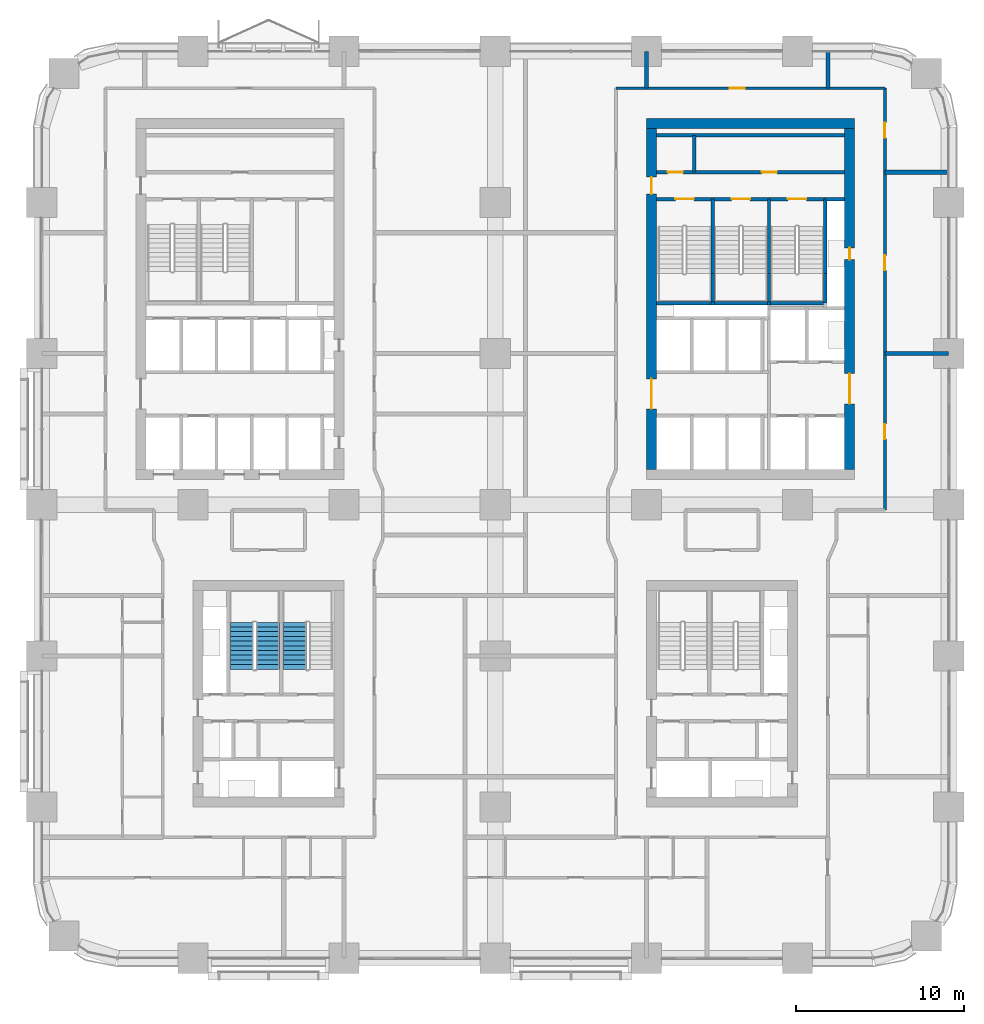
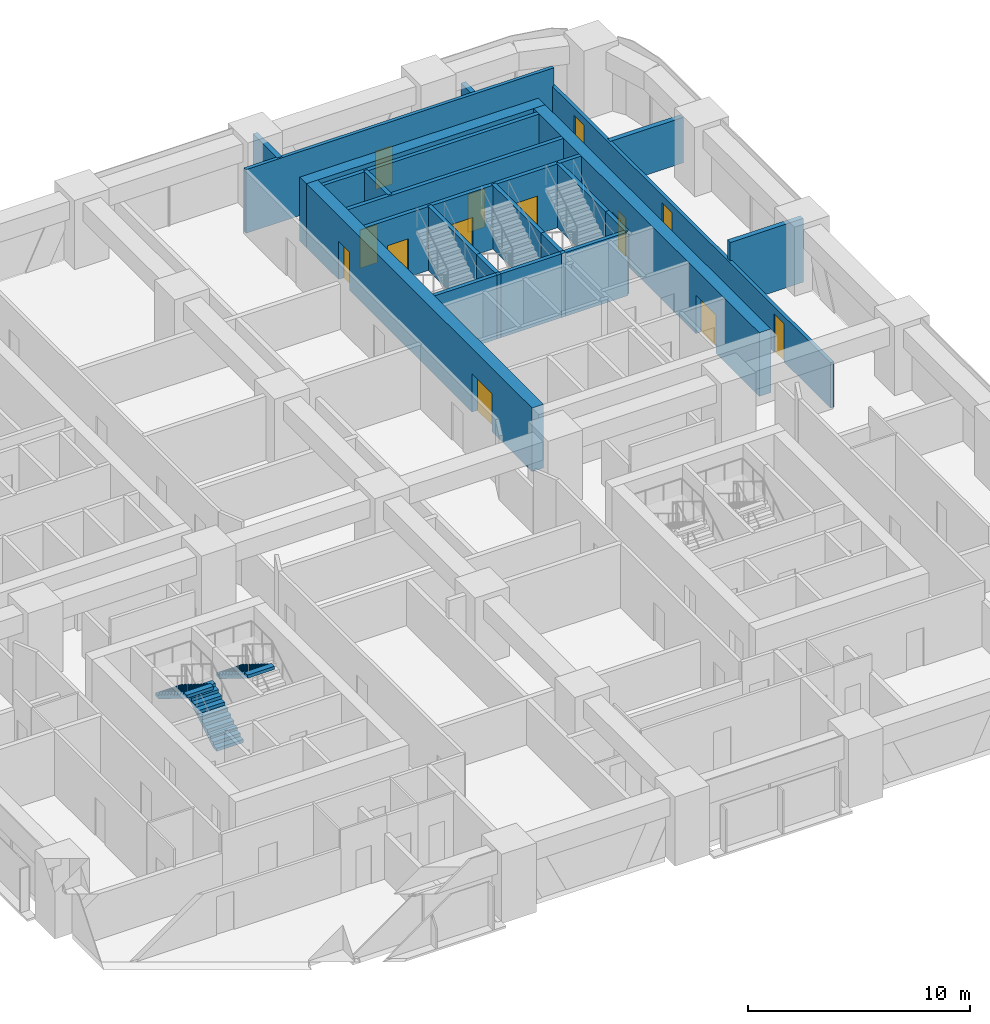
# One storey, part 19 of 23: 25 walls, 13 doors, 3 stair flights, 13 openings, 2 elements without a shape of their own.
"""IFC4 building model written with IfcOpenShell, lengths in metres."""

import ifcopenshell
import ifcopenshell.guid

model = None  # the IFC model being written
_history = None  # IfcOwnerHistory: only IFC2X3 demands one
_inside = {}  # id of a spatial element -> (the spatial element, [elements in it])
_under = {}  # id of a project, library or spatial element -> (it, [spatial elements below it])
_declared = {}  # id of a project -> (the project, [libraries it declares])
_typed = {}  # id of a type object -> (the type object, [elements of that type])
_made_of = {}  # id of a material, layer set ... -> (it, [elements and type objects made of it])


def new_model(schema):
    """Start an empty IFC model of exactly this schema.

    Asked for "IFC4X3", IfcOpenShell would pick the latest addendum, in which some entities
    have other attributes; the version numbers below select the first issue.
    IFC2X3 requires an IfcOwnerHistory on every rooted entity: one is made here for all.
    """
    global model, _history
    if schema == "IFC4X3":
        model = ifcopenshell.file(schema_version=(4, 3, 0, 0))
    else:
        model = ifcopenshell.file(schema=schema)
    _inside.clear()
    _under.clear()
    _declared.clear()
    _typed.clear()
    _made_of.clear()
    _history = None
    if model.schema == "IFC2X3":
        org = make("IfcOrganization", Name="unknown")
        user = make(
            "IfcPersonAndOrganization",
            ThePerson=make("IfcPerson", FamilyName="unknown"),
            TheOrganization=org,
        )
        app = make(
            "IfcApplication",
            ApplicationDeveloper=org,
            Version="unknown",
            ApplicationFullName="unknown",
            ApplicationIdentifier="unknown",
        )
        _history = make(
            "IfcOwnerHistory",
            OwningUser=user,
            OwningApplication=app,
            ChangeAction="ADDED",
            CreationDate=0,
        )
    return model


def make(cls, **values):
    """One entity of the class cls with the attributes given. An attribute that is None is left unset."""
    return model.create_entity(
        cls, **{name: value for name, value in values.items() if value is not None}
    )


def rooted(cls, **values):
    """An entity with a GlobalId (a new one), such as an element, a storey or a relation."""
    return make(cls, GlobalId=ifcopenshell.guid.new(), OwnerHistory=_history, **values)


def si_unit(unit_type, name, prefix=None):
    """IfcSIUnit, for example si_unit("LENGTHUNIT", "METRE", prefix="MILLI")."""
    return make("IfcSIUnit", UnitType=unit_type, Prefix=prefix, Name=name)


def assignment(units):
    """IfcUnitAssignment: the units of a project."""
    return None if units is None else make("IfcUnitAssignment", Units=units)


def point(xyz):
    """IfcCartesianPoint."""
    return None if xyz is None else make("IfcCartesianPoint", Coordinates=xyz)


def direction(xyz):
    """IfcDirection."""
    return None if xyz is None else make("IfcDirection", DirectionRatios=xyz)


def frame(location, z_axis=None, x_axis=None):
    """IfcAxis2Placement3D, a coordinate frame: its origin and axes. An axis left out is left unset."""
    return make(
        "IfcAxis2Placement3D",
        Location=point(location),
        Axis=direction(z_axis),
        RefDirection=direction(x_axis),
    )


def frame_2d(location, x_axis=None):
    """IfcAxis2Placement2D, a coordinate frame in the plane: its origin and x axis."""
    return make(
        "IfcAxis2Placement2D", Location=point(location), RefDirection=direction(x_axis)
    )


def origin():
    """The frame at (0, 0, 0) with its axes left unset."""
    return frame((0.0, 0.0, 0.0))


def place(relative_to, where):
    """IfcLocalPlacement: puts the frame where relative to a parent placement (None: the world)."""
    return make(
        "IfcLocalPlacement", PlacementRelTo=relative_to, RelativePlacement=where
    )


def context(
    kind, dimensions, precision=None, world=None, true_north=None, identifier=None
):
    """IfcGeometricRepresentationContext, for example the 3D "Model" context."""
    return make(
        "IfcGeometricRepresentationContext",
        ContextIdentifier=identifier,
        ContextType=kind,
        CoordinateSpaceDimension=dimensions,
        Precision=precision,
        WorldCoordinateSystem=world,
        TrueNorth=true_north,
    )


def subcontext(parent, identifier, kind, view, scale=None):
    """IfcGeometricRepresentationSubContext, for example "Body" below "Model"."""
    return make(
        "IfcGeometricRepresentationSubContext",
        ContextIdentifier=identifier,
        ContextType=kind,
        ParentContext=parent,
        TargetScale=scale,
        TargetView=view,
    )


def project(units=None, contexts=None):
    """IfcProject with its units and contexts."""
    return rooted(
        "IfcProject",
        Name="project",
        RepresentationContexts=contexts,
        UnitsInContext=assignment(units),
    )


def spatial(cls, under=None, at=None, **own):
    """A site, building, storey or space (cls), placed at a placement, below another one or the project."""
    s = rooted(cls, ObjectPlacement=at, **own)
    if under is not None:
        _under.setdefault(under.id(), (under, []))[1].append(s)
    return s


def polyline(points):
    """IfcPolyline through the points."""
    return make("IfcPolyline", Points=[point(p) for p in points])


def profile(cls, at=None, kind="AREA", **sizes):
    """A parametric profile (cls). Its sizes go by their IFC names, for example OverallWidth=200.0."""
    return make(cls, ProfileType=kind, Position=at, **sizes)


def rectangle(**sizes):
    """IfcRectangleProfileDef."""
    return profile("IfcRectangleProfileDef", **sizes)


def outline(outer, holes=None, kind="AREA"):
    """IfcArbitraryClosedProfileDef: a profile drawn as a closed curve; with holes, ...WithVoids."""
    if holes is None:
        return make("IfcArbitraryClosedProfileDef", ProfileType=kind, OuterCurve=outer)
    return make(
        "IfcArbitraryProfileDefWithVoids",
        ProfileType=kind,
        OuterCurve=outer,
        InnerCurves=holes,
    )


def extrude(swept, where, along, depth):
    """IfcExtrudedAreaSolid: the profile swept, set in the frame where, extruded along a direction by depth."""
    return make(
        "IfcExtrudedAreaSolid",
        SweptArea=swept,
        Position=where,
        ExtrudedDirection=direction(along),
        Depth=depth,
    )


def shape(context_of_items, identifier, shape_type, items):
    """IfcShapeRepresentation: the items that make up one representation, for example the "Body"."""
    return make(
        "IfcShapeRepresentation",
        ContextOfItems=context_of_items,
        RepresentationIdentifier=identifier,
        RepresentationType=shape_type,
        Items=items,
    )


def material(Name=None, Category=None):
    """IfcMaterial."""
    return make("IfcMaterial", Name=Name, Category=Category)


def layer(
    of_material, thickness, ventilated=None, Name=None, Category=None, Priority=None
):
    """IfcMaterialLayer: one layer of a wall or slab, of a material (None: an air gap)."""
    return make(
        "IfcMaterialLayer",
        Material=of_material,
        LayerThickness=thickness,
        IsVentilated=ventilated,
        Name=Name,
        Category=Category,
        Priority=Priority,
    )


def layer_set(layers, Name=None):
    """IfcMaterialLayerSet."""
    return make("IfcMaterialLayerSet", MaterialLayers=layers, LayerSetName=Name)


def made_of(thing, what):
    """Note that an element or type object is made of a material, layer set ...; save() writes the relation."""
    if what is not None:
        _made_of.setdefault(what.id(), (what, []))[1].append(thing)
    return thing


def type_object(cls, material=None, **own):
    """A type object (cls), such as IfcWallType, which elements share."""
    return made_of(rooted(cls, **own), material)


def element(
    cls,
    number,
    at=None,
    inside=None,
    cuts=None,
    type_object=None,
    material=None,
    context=None,
    identifier="Body",
    shape_type=None,
    held_by="IfcProductDefinitionShape",
    body=None,
    shapes=None,
    **own,
):
    """One element of the class cls, such as IfcWall. Its Tag is "e" and its number.

    at: its placement. inside: the storey or other place that contains it. cuts: it is an
    opening in that element (IfcRelVoidsElement). A single representation is given by context,
    identifier, shape_type and body (its items); several are given by shapes. held_by: the class
    of the entity that holds the representations. save() writes the other relations.
    """
    e = rooted(cls, Tag="e%d" % number, ObjectPlacement=at, **own)
    if body is not None:
        shapes = [shape(context, identifier, shape_type, body)]
    if shapes is not None:
        e.Representation = make(held_by, Representations=shapes)
    if inside is not None:
        _inside.setdefault(inside.id(), (inside, []))[1].append(e)
    if cuts is not None:
        rooted(
            "IfcRelVoidsElement", RelatingBuildingElement=cuts, RelatedOpeningElement=e
        )
    if type_object is not None:
        _typed.setdefault(type_object.id(), (type_object, []))[1].append(e)
    return made_of(e, material)


def fill(opening, filler):
    """IfcRelFillsElement: the door or window that sits in an opening."""
    return rooted(
        "IfcRelFillsElement",
        RelatingOpeningElement=opening,
        RelatedBuildingElement=filler,
    )


def aggregate(whole, parts):
    """IfcRelAggregates: a whole, such as a stair, and the parts it consists of."""
    return rooted("IfcRelAggregates", RelatingObject=whole, RelatedObjects=parts)


def save(model, path):
    """Write the relations noted so far, then the file.

    IfcRelAggregates (storeys below a building ...), IfcRelContainedInSpatialStructure (elements
    in a storey), IfcRelDefinesByType, IfcRelAssociatesMaterial and IfcRelDeclares: one each for
    every whole, place, type object, material and project.
    """
    for whole, parts in _under.values():
        aggregate(whole, parts)
    for where, things in _inside.values():
        rooted(
            "IfcRelContainedInSpatialStructure",
            RelatedElements=things,
            RelatingStructure=where,
        )
    for kind, things in _typed.values():
        rooted("IfcRelDefinesByType", RelatedObjects=things, RelatingType=kind)
    for what, things in _made_of.values():
        rooted("IfcRelAssociatesMaterial", RelatedObjects=things, RelatingMaterial=what)
    for by, libraries in _declared.values():
        rooted("IfcRelDeclares", RelatingContext=by, RelatedDefinitions=libraries)
    model.write(path)


model = new_model("IFC4")

# Units and contexts
model_context = context("Model", 3, precision=1e-05, world=origin(), true_north=direction((0.0, 1.0)))
body_context = subcontext(model_context, "Body", "Model", "MODEL_VIEW")
ifc_project = project(units=[si_unit("LENGTHUNIT", "METRE"), si_unit("AREAUNIT", "SQUARE_METRE"), si_unit("VOLUMEUNIT", "CUBIC_METRE"), si_unit("PLANEANGLEUNIT", "RADIAN"), si_unit("MASSUNIT", "GRAM", prefix="KILO")], contexts=[model_context])

# Site, building, storey
site_placement = place(None, origin())
site = spatial("IfcSite", under=ifc_project, at=site_placement, CompositionType="ELEMENT")
building_placement = place(site_placement, origin())
building = spatial("IfcBuilding", under=site, at=building_placement, Name="Tessera Arch", CompositionType="ELEMENT")
storey_placement = place(building_placement, frame((0.0, 0.0, 57.60009765625)))
storey = spatial("IfcBuildingStorey", under=building, at=storey_placement, Name="L12", CompositionType="ELEMENT", Elevation=57.60009765625)

# Wall
ifc_material_1 = material(Name="Gypsum board on steel stud", Category="steel")
ifc_layer_1 = layer(ifc_material_1, 0.125)
ifc_layer_set_1 = layer_set([ifc_layer_1], Name="Core partition 125 EI 60")
wall_type_1 = type_object("IfcWallType", Name="Core partition 125 EI 60", PredefinedType="PARTITIONING", material=ifc_layer_set_1)
wall_1_placement = place(storey_placement, frame((38.840087890625, 46.800048828125, 0.0), z_axis=(0.0, 0.0, 1.0), x_axis=(0.0, 1.0, 0.0)))
element("IfcWall", 1, at=wall_1_placement, inside=storey, type_object=wall_type_1, Name="L12 C1 partition wall 3", PredefinedType="PARTITIONING", context=body_context, shape_type="SweptSolid", body=[
    extrude(rectangle(XDim=2.199951171875, YDim=0.199951171875, at=frame_2d((1.10009765625, 0.0))), origin(), (0.0, 0.0, 1.0), 3.5),
])

# Wall, openings, doors
wall_2_placement = place(storey_placement, frame((36.60009765625, 46.800048828125, 0.0), z_axis=(0.0, 0.0, 1.0), x_axis=(1.0, 0.0, 0.0)))
wall_2 = element("IfcWall", 2, at=wall_2_placement, inside=storey, type_object=wall_type_1, Name="L12 C1 partition wall 31", PredefinedType="PARTITIONING", context=body_context, shape_type="SweptSolid", body=[
    extrude(rectangle(XDim=11.199951171875, YDim=0.199951171875, at=frame_2d((5.60009765625, 0.0))), origin(), (0.0, 0.0, 1.0), 3.5),
])
opening_1_placement = place(wall_2_placement, frame((0.669921875, 0.0, 0.0)))
opening_1 = element("IfcOpeningElement", 3, at=opening_1_placement, cuts=wall_2, Name="Opening L12-C12", PredefinedType="OPENING", context=body_context, shape_type="SweptSolid", body=[
    extrude(rectangle(XDim=0.89990234375, YDim=2.10009765625, at=frame_2d((0.449951171875, 1.050048828125))), frame((0.0, 0.10986328125, 0.0), z_axis=(0.0, -1.0, 0.0), x_axis=(1.0, 0.0, 0.0)), (0.0, 0.0, 1.0), 0.219970703125),
])
opening_2_placement = place(wall_2_placement, frame((6.27001953125, 0.0, 0.0)))
opening_2 = element("IfcOpeningElement", 4, at=opening_2_placement, cuts=wall_2, Name="Opening L12-C13", PredefinedType="OPENING", context=body_context, shape_type="SweptSolid", body=[
    extrude(rectangle(XDim=0.89990234375, YDim=2.10009765625, at=frame_2d((0.449951171875, 1.050048828125))), frame((0.0, 0.10986328125, 0.0), z_axis=(0.0, -1.0, 0.0), x_axis=(1.0, 0.0, 0.0)), (0.0, 0.0, 1.0), 0.219970703125),
])
ifc_material_2 = material(Name="Steel door leaf", Category="steel")
door_type_1 = type_object("IfcDoorType", Name="Store door FD30S 900 x 2100", OperationType="SINGLE_SWING_LEFT", PredefinedType="DOOR", material=ifc_material_2)
door_1_placement = place(opening_1_placement, origin())
door_1 = element("IfcDoor", 5, at=door_1_placement, inside=storey, type_object=door_type_1, Name="L12 C1 door 12 C12 type D09", OperationType="SINGLE_SWING_LEFT", OverallHeight=2.10009765625, OverallWidth=0.89990234375, PredefinedType="DOOR", context=body_context, shape_type="SweptSolid", body=[
    extrude(rectangle(XDim=0.89990234375, YDim=2.10009765625, at=frame_2d((0.449951171875, 1.050048828125))), frame((0.0, 0.02490234375, 0.0), z_axis=(0.0, -1.0, 0.0), x_axis=(1.0, 0.0, 0.0)), (0.0, 0.0, 1.0), 0.050048828125),
])
fill(opening_1, door_1)
door_2_placement = place(opening_2_placement, origin())
door_2 = element("IfcDoor", 6, at=door_2_placement, inside=storey, type_object=door_type_1, Name="L12 C1 door 13 C13 type D09", OperationType="SINGLE_SWING_RIGHT", OverallHeight=2.10009765625, OverallWidth=0.89990234375, PredefinedType="DOOR", context=body_context, shape_type="SweptSolid", body=[
    extrude(rectangle(XDim=0.89990234375, YDim=2.10009765625, at=frame_2d((0.449951171875, 1.050048828125))), frame((0.0, 0.02490234375, 0.0), z_axis=(0.0, -1.0, 0.0), x_axis=(1.0, 0.0, 0.0)), (0.0, 0.0, 1.0), 0.050048828125),
])
fill(opening_2, door_2)

# Walls
wall_3_placement = place(storey_placement, frame((36.60009765625, 49.0, 0.0), z_axis=(0.0, 0.0, 1.0), x_axis=(1.0, 0.0, 0.0)))
element("IfcWall", 7, at=wall_3_placement, inside=storey, type_object=wall_type_1, Name="L12 C1 partition wall 32", PredefinedType="PARTITIONING", context=body_context, shape_type="SweptSolid", body=[
    extrude(rectangle(XDim=11.199951171875, YDim=0.199951171875, at=frame_2d((5.60009765625, 0.0))), origin(), (0.0, 0.0, 1.0), 3.5),
])
ifc_material_3 = material(Name="Concrete C70/85", Category="concrete")
ifc_layer_2 = layer(ifc_material_3, 0.60009765625)
ifc_layer_set_2 = layer_set([ifc_layer_2], Name="Core shell wall 600 C70-85")
wall_type_2 = type_object("IfcWallType", Name="Core shell wall 600 C70-85", PredefinedType="SHEAR", material=ifc_layer_set_2)
wall_4_placement = place(storey_placement, frame((36.0, 49.699951171875, 0.0), z_axis=(0.0, 0.0, 1.0), x_axis=(1.0, 0.0, 0.0)))
element("IfcWall", 8, at=wall_4_placement, inside=storey, type_object=wall_type_2, Name="L12 C1 core wall N", PredefinedType="SHEAR", context=body_context, shape_type="SweptSolid", body=[
    extrude(rectangle(XDim=12.39990234375, YDim=0.60009765625, at=frame_2d((6.199951171875, 0.0))), origin(), (0.0, 0.0, 1.0), 3.5),
])

# Wall, openings, doors
wall_5_placement = place(storey_placement, frame((36.300048828125, 29.10009765625, 0.0), z_axis=(0.0, 0.0, 1.0), x_axis=(0.0, 1.0, 0.0)))
wall_5 = element("IfcWall", 9, at=wall_5_placement, inside=storey, type_object=wall_type_2, Name="L12 C1 core wall W", PredefinedType="SHEAR", context=body_context, shape_type="SweptSolid", body=[
    extrude(rectangle(XDim=20.2998046875, YDim=0.60009765625, at=frame_2d((10.14990234375, 0.0))), origin(), (0.0, 0.0, 1.0), 3.5),
])
opening_3_placement = place(wall_5_placement, frame((3.60009765625, 0.0, 0.0)))
opening_3 = element("IfcOpeningElement", 10, at=opening_3_placement, cuts=wall_5, Name="Opening L12-C04", PredefinedType="OPENING", context=body_context, shape_type="SweptSolid", body=[
    extrude(rectangle(XDim=1.800048828125, YDim=2.10009765625, at=frame_2d((0.89990234375, 1.050048828125))), frame((0.0, 0.31005859375, 0.0), z_axis=(0.0, -1.0, 0.0), x_axis=(1.0, 0.0, 0.0)), (0.0, 0.0, 1.0), 0.6201171875),
])
opening_4_placement = place(wall_5_placement, frame((16.39990234375, 0.0, 0.0)))
opening_4 = element("IfcOpeningElement", 11, at=opening_4_placement, cuts=wall_5, Name="Opening L12-C11", PredefinedType="OPENING", context=body_context, shape_type="SweptSolid", body=[
    extrude(rectangle(XDim=1.0, YDim=2.10009765625, at=frame_2d((0.5, 1.050048828125))), frame((0.0, 0.31005859375, 0.0), z_axis=(0.0, -1.0, 0.0), x_axis=(1.0, 0.0, 0.0)), (0.0, 0.0, 1.0), 0.6201171875),
])
ifc_material_4 = material(Name="Steel door leaf", Category="steel")
door_type_2 = type_object("IfcDoorType", Name="Corridor door FD60 1000 x 2100", OperationType="SINGLE_SWING_LEFT", PredefinedType="DOOR", material=ifc_material_4)
door_3_placement = place(opening_4_placement, origin())
door_3 = element("IfcDoor", 12, at=door_3_placement, inside=storey, type_object=door_type_2, Name="L12 C1 door 11 C11 type D12", OperationType="SINGLE_SWING_RIGHT", OverallHeight=2.10009765625, OverallWidth=1.0, PredefinedType="DOOR", context=body_context, shape_type="SweptSolid", body=[
    extrude(rectangle(XDim=1.0, YDim=2.10009765625, at=frame_2d((0.5, 1.050048828125))), frame((0.0, 0.02490234375, 0.0), z_axis=(0.0, -1.0, 0.0), x_axis=(1.0, 0.0, 0.0)), (0.0, 0.0, 1.0), 0.050048828125),
])
fill(opening_4, door_3)
ifc_material_5 = material(Name="Glazed steel door leaf", Category="steel")
door_type_3 = type_object("IfcDoorType", Name="Lobby double door FD30S 1800 x 2100", OperationType="DOUBLE_DOOR_SINGLE_SWING", PredefinedType="DOOR", material=ifc_material_5)
door_4_placement = place(opening_3_placement, origin())
door_4 = element("IfcDoor", 13, at=door_4_placement, inside=storey, type_object=door_type_3, Name="L12 C1 door 4 C04 type D06", OperationType="DOUBLE_DOOR_SINGLE_SWING", OverallHeight=2.10009765625, OverallWidth=1.800048828125, PredefinedType="DOOR", context=body_context, shape_type="SweptSolid", body=[
    extrude(rectangle(XDim=1.800048828125, YDim=2.10009765625, at=frame_2d((0.89990234375, 1.050048828125))), frame((0.0, 0.02490234375, 0.0), z_axis=(0.0, -1.0, 0.0), x_axis=(1.0, 0.0, 0.0)), (0.0, 0.0, 1.0), 0.050048828125),
])
fill(opening_3, door_4)

wall_6_placement = place(storey_placement, frame((48.10009765625, 29.10009765625, 0.0), z_axis=(0.0, 0.0, 1.0), x_axis=(0.0, 1.0, 0.0)))
wall_6 = element("IfcWall", 14, at=wall_6_placement, inside=storey, type_object=wall_type_2, Name="L12 C1 core wall E", PredefinedType="SHEAR", context=body_context, shape_type="SweptSolid", body=[
    extrude(rectangle(XDim=20.2998046875, YDim=0.60009765625, at=frame_2d((10.14990234375, 0.0))), origin(), (0.0, 0.0, 1.0), 3.5),
])
opening_5_placement = place(wall_6_placement, frame((12.5, 0.0, 0.0)))
opening_5 = element("IfcOpeningElement", 15, at=opening_5_placement, cuts=wall_6, Name="Opening L12-C08", PredefinedType="OPENING", context=body_context, shape_type="SweptSolid", body=[
    extrude(rectangle(XDim=0.699951171875, YDim=2.10009765625, at=frame_2d((0.35009765625, 1.050048828125))), frame((0.0, 0.31005859375, 0.0), z_axis=(0.0, -1.0, 0.0), x_axis=(1.0, 0.0, 0.0)), (0.0, 0.0, 1.0), 0.6201171875),
])
opening_6_placement = place(wall_6_placement, frame((3.89990234375, 0.0, 0.0)))
opening_6 = element("IfcOpeningElement", 16, at=opening_6_placement, cuts=wall_6, Name="Opening L12-C09", PredefinedType="OPENING", context=body_context, shape_type="SweptSolid", body=[
    extrude(rectangle(XDim=1.800048828125, YDim=2.10009765625, at=frame_2d((0.89990234375, 1.050048828125))), frame((0.0, 0.31005859375, 0.0), z_axis=(0.0, -1.0, 0.0), x_axis=(1.0, 0.0, 0.0)), (0.0, 0.0, 1.0), 0.6201171875),
])
ifc_material_6 = material(Name="Glazed steel door leaf", Category="steel")
door_type_4 = type_object("IfcDoorType", Name="Lobby double door FD60 1800 x 2100", OperationType="DOUBLE_DOOR_SINGLE_SWING", PredefinedType="DOOR", material=ifc_material_6)
door_5_placement = place(opening_6_placement, origin())
door_5 = element("IfcDoor", 17, at=door_5_placement, inside=storey, type_object=door_type_4, Name="L12 C1 door 9 C09 type D19", OperationType="DOUBLE_DOOR_SINGLE_SWING", OverallHeight=2.10009765625, OverallWidth=1.800048828125, PredefinedType="DOOR", context=body_context, shape_type="SweptSolid", body=[
    extrude(rectangle(XDim=1.800048828125, YDim=2.10009765625, at=frame_2d((0.89990234375, 1.050048828125))), frame((0.0, 0.02490234375, 0.0), z_axis=(0.0, -1.0, 0.0), x_axis=(1.0, 0.0, 0.0)), (0.0, 0.0, 1.0), 0.050048828125),
])
fill(opening_6, door_5)
ifc_material_7 = material(Name="Steel door leaf", Category="steel")
door_type_5 = type_object("IfcDoorType", Name="Service shaft door FD60 700 x 2100", OperationType="SINGLE_SWING_LEFT", PredefinedType="DOOR", material=ifc_material_7)
door_6_placement = place(opening_5_placement, origin())
door_6 = element("IfcDoor", 18, at=door_6_placement, inside=storey, type_object=door_type_5, Name="L12 C1 door 8 C08 type D07", OperationType="SINGLE_SWING_RIGHT", OverallHeight=2.10009765625, OverallWidth=0.699951171875, PredefinedType="DOOR", context=body_context, shape_type="SweptSolid", body=[
    extrude(rectangle(XDim=0.699951171875, YDim=2.10009765625, at=frame_2d((0.35009765625, 1.050048828125))), frame((0.0, 0.02490234375, 0.0), z_axis=(0.0, -1.0, 0.0), x_axis=(1.0, 0.0, 0.0)), (0.0, 0.0, 1.0), 0.050048828125),
])
fill(opening_5, door_6)

# Wall, opening, door
ifc_material_8 = material(Name="Gypsum board on deep steel stud with mineral wool", Category="steel")
ifc_layer_3 = layer(ifc_material_8, 0.175048828125)
ifc_layer_set_3 = layer_set([ifc_layer_3], Name="Corridor wall 175 EI 60")
wall_type_3 = type_object("IfcWallType", Name="Corridor wall 175 EI 60", PredefinedType="PARTITIONING", material=ifc_layer_set_3)
wall_7_placement = place(storey_placement, frame((34.199951171875, 51.800048828125, 0.0), z_axis=(0.0, 0.0, 1.0), x_axis=(1.0, 0.0, 0.0)))
wall_7 = element("IfcWall", 19, at=wall_7_placement, inside=storey, type_object=wall_type_3, Name="L12 partition 10", PredefinedType="PARTITIONING", context=body_context, shape_type="SweptSolid", body=[
    extrude(rectangle(XDim=16.0, YDim=0.175048828125, at=frame_2d((8.0, 0.0))), origin(), (0.0, 0.0, 1.0), 3.5),
])
opening_7_placement = place(wall_7_placement, frame((6.752197265625, 0.0, 0.0)))
opening_7 = element("IfcOpeningElement", 20, at=opening_7_placement, cuts=wall_7, Name="Opening L12-D046", PredefinedType="OPENING", context=body_context, shape_type="SweptSolid", body=[
    extrude(rectangle(XDim=0.89990234375, YDim=2.10009765625, at=frame_2d((0.449951171875, 1.050048828125))), frame((0.0, 0.097412109375, 0.0), z_axis=(0.0, -1.0, 0.0), x_axis=(1.0, 0.0, 0.0)), (0.0, 0.0, 1.0), 0.195068359375),
])
ifc_material_9 = material(Name="Timber door leaf", Category="wood")
door_type_6 = type_object("IfcDoorType", Name="Room door 900 x 2100", OperationType="SINGLE_SWING_LEFT", PredefinedType="DOOR", material=ifc_material_9)
door_7_placement = place(opening_7_placement, origin())
door_7 = element("IfcDoor", 21, at=door_7_placement, inside=storey, type_object=door_type_6, Name="L12 door D046 type D01", OperationType="SINGLE_SWING_LEFT", OverallHeight=2.10009765625, OverallWidth=0.89990234375, PredefinedType="DOOR", context=body_context, shape_type="SweptSolid", body=[
    extrude(rectangle(XDim=0.89990234375, YDim=2.10009765625, at=frame_2d((0.449951171875, 1.050048828125))), frame((0.0, 0.02490234375, 0.0), z_axis=(0.0, -1.0, 0.0), x_axis=(1.0, 0.0, 0.0)), (0.0, 0.0, 1.0), 0.050048828125),
])
fill(opening_7, door_7)

# Wall, openings, doors
wall_8_placement = place(storey_placement, frame((50.199951171875, 26.699951171875, 0.0), z_axis=(0.0, 0.0, 1.0), x_axis=(0.0, 1.0, 0.0)))
wall_8 = element("IfcWall", 22, at=wall_8_placement, inside=storey, type_object=wall_type_3, Name="L12 partition 26", PredefinedType="PARTITIONING", context=body_context, shape_type="SweptSolid", body=[
    extrude(rectangle(XDim=25.10009765625, YDim=0.175048828125, at=frame_2d((12.550048828125, 0.0))), origin(), (0.0, 0.0, 1.0), 2.5),
])
opening_8_placement = place(wall_8_placement, frame((4.199951171875, 0.0, 0.0)))
opening_8 = element("IfcOpeningElement", 23, at=opening_8_placement, cuts=wall_8, Name="Opening L12-D032", PredefinedType="OPENING", context=body_context, shape_type="SweptSolid", body=[
    extrude(rectangle(XDim=0.89990234375, YDim=2.10009765625, at=frame_2d((0.449951171875, 1.050048828125))), frame((0.0, 0.097412109375, 0.0), z_axis=(0.0, -1.0, 0.0), x_axis=(1.0, 0.0, 0.0)), (0.0, 0.0, 1.0), 0.195068359375),
])
opening_9_placement = place(wall_8_placement, frame((14.25, 0.0, 0.0)))
opening_9 = element("IfcOpeningElement", 24, at=opening_9_placement, cuts=wall_8, Name="Opening L12-D040", PredefinedType="OPENING", context=body_context, shape_type="SweptSolid", body=[
    extrude(rectangle(XDim=0.89990234375, YDim=2.10009765625, at=frame_2d((0.449951171875, 1.050048828125))), frame((0.0, 0.097412109375, 0.0), z_axis=(0.0, -1.0, 0.0), x_axis=(1.0, 0.0, 0.0)), (0.0, 0.0, 1.0), 0.195068359375),
])
opening_10_placement = place(wall_8_placement, frame((22.14990234375, 0.0, 0.0)))
opening_10 = element("IfcOpeningElement", 25, at=opening_10_placement, cuts=wall_8, Name="Opening L12-D044", PredefinedType="OPENING", context=body_context, shape_type="SweptSolid", body=[
    extrude(rectangle(XDim=0.89990234375, YDim=2.10009765625, at=frame_2d((0.449951171875, 1.050048828125))), frame((0.0, 0.097412109375, 0.0), z_axis=(0.0, -1.0, 0.0), x_axis=(1.0, 0.0, 0.0)), (0.0, 0.0, 1.0), 0.195068359375),
])
door_8_placement = place(opening_8_placement, origin())
door_8 = element("IfcDoor", 26, at=door_8_placement, inside=storey, type_object=door_type_6, Name="L12 door D032 type D01", OperationType="SINGLE_SWING_RIGHT", OverallHeight=2.10009765625, OverallWidth=0.89990234375, PredefinedType="DOOR", context=body_context, shape_type="SweptSolid", body=[
    extrude(rectangle(XDim=0.89990234375, YDim=2.10009765625, at=frame_2d((0.449951171875, 1.050048828125))), frame((0.0, 0.02490234375, 0.0), z_axis=(0.0, -1.0, 0.0), x_axis=(1.0, 0.0, 0.0)), (0.0, 0.0, 1.0), 0.050048828125),
])
fill(opening_8, door_8)
door_9_placement = place(opening_9_placement, origin())
door_9 = element("IfcDoor", 27, at=door_9_placement, inside=storey, type_object=door_type_6, Name="L12 door D040 type D01", OperationType="SINGLE_SWING_RIGHT", OverallHeight=2.10009765625, OverallWidth=0.89990234375, PredefinedType="DOOR", context=body_context, shape_type="SweptSolid", body=[
    extrude(rectangle(XDim=0.89990234375, YDim=2.10009765625, at=frame_2d((0.449951171875, 1.050048828125))), frame((0.0, 0.02490234375, 0.0), z_axis=(0.0, -1.0, 0.0), x_axis=(1.0, 0.0, 0.0)), (0.0, 0.0, 1.0), 0.050048828125),
])
fill(opening_9, door_9)
door_10_placement = place(opening_10_placement, origin())
door_10 = element("IfcDoor", 28, at=door_10_placement, inside=storey, type_object=door_type_6, Name="L12 door D044 type D01", OperationType="SINGLE_SWING_RIGHT", OverallHeight=2.10009765625, OverallWidth=0.89990234375, PredefinedType="DOOR", context=body_context, shape_type="SweptSolid", body=[
    extrude(rectangle(XDim=0.89990234375, YDim=2.10009765625, at=frame_2d((0.449951171875, 1.050048828125))), frame((0.0, 0.02490234375, 0.0), z_axis=(0.0, -1.0, 0.0), x_axis=(1.0, 0.0, 0.0)), (0.0, 0.0, 1.0), 0.050048828125),
])
fill(opening_10, door_10)

# Walls
ifc_material_10 = material(Name="Double gypsum board on twin steel stud with acoustic mineral wool", Category="steel")
ifc_layer_4 = layer(ifc_material_10, 0.25)
ifc_layer_set_4 = layer_set([ifc_layer_4], Name="Party wall 250 EI 60")
wall_type_4 = type_object("IfcWallType", Name="Party wall 250 EI 60", PredefinedType="PARTITIONING", material=ifc_layer_set_4)
wall_9_placement = place(storey_placement, frame((50.199951171875, 36.0, 0.0), z_axis=(0.0, 0.0, 1.0), x_axis=(1.0, 0.0, 0.0)))
element("IfcWall", 29, at=wall_9_placement, inside=storey, type_object=wall_type_4, Name="L12 partition 47", PredefinedType="PARTITIONING", context=body_context, shape_type="SweptSolid", body=[
    extrude(rectangle(XDim=3.800048828125, YDim=0.25, at=frame_2d((1.89990234375, 0.0))), origin(), (0.0, 0.0, 1.0), 3.5),
])
wall_10_placement = place(storey_placement, frame((50.199951171875, 46.800048828125, 0.0), z_axis=(0.0, 0.0, 1.0), x_axis=(1.0, 0.0, 0.0)))
element("IfcWall", 30, at=wall_10_placement, inside=storey, type_object=wall_type_4, Name="L12 partition 50", PredefinedType="PARTITIONING", context=body_context, shape_type="SweptSolid", body=[
    extrude(rectangle(XDim=3.800048828125, YDim=0.25, at=frame_2d((1.89990234375, 0.0))), origin(), (0.0, 0.0, 1.0), 2.5),
])
wall_11_placement = place(storey_placement, frame((36.0, 51.800048828125, 0.0), z_axis=(0.0, 0.0, 1.0), x_axis=(0.0, 1.0, 0.0)))
element("IfcWall", 31, at=wall_11_placement, inside=storey, type_object=wall_type_4, Name="L12 partition 58", PredefinedType="PARTITIONING", context=body_context, shape_type="SweptSolid", body=[
    extrude(rectangle(XDim=2.199951171875, YDim=0.25, at=frame_2d((1.10009765625, 0.0))), origin(), (0.0, 0.0, 1.0), 3.5),
])
wall_12_placement = place(storey_placement, frame((46.804931640625, 51.800048828125, 0.0), z_axis=(0.0, 0.0, 1.0), x_axis=(0.0, 1.0, 0.0)))
element("IfcWall", 32, at=wall_12_placement, inside=storey, type_object=wall_type_4, Name="L12 partition 61", PredefinedType="PARTITIONING", context=body_context, shape_type="SweptSolid", body=[
    extrude(rectangle(XDim=2.199951171875, YDim=0.25, at=frame_2d((1.10009765625, 0.0))), origin(), (0.0, 0.0, 1.0), 2.5),
])
ifc_material_11 = material(Name="Concrete C40/50", Category="concrete")
ifc_layer_5 = layer(ifc_material_11, 0.199951171875)
ifc_layer_set_5 = layer_set([ifc_layer_5], Name="Shaft wall 200 EI 120")
wall_type_5 = type_object("IfcWallType", Name="Shaft wall 200 EI 120", PredefinedType="SOLIDWALL", material=ifc_layer_set_5)
wall_13_placement = place(storey_placement, frame((46.64990234375, 45.199951171875, 0.0), z_axis=(0.0, 0.0, 1.0), x_axis=(1.0, 0.0, 0.0)))
element("IfcWall", 33, at=wall_13_placement, inside=storey, type_object=wall_type_5, Name="L12 C1 shaft wall 29", PredefinedType="SOLIDWALL", context=body_context, shape_type="SweptSolid", body=[
    extrude(rectangle(XDim=1.150146484375, YDim=0.199951171875, at=frame_2d((0.5751953125, 0.0))), origin(), (0.0, 0.0, 1.0), 3.5),
])
ifc_material_12 = material(Name="Concrete C40/50", Category="concrete")
ifc_layer_6 = layer(ifc_material_12, 0.199951171875)
ifc_layer_set_6 = layer_set([ifc_layer_6], Name="Stair well wall 200 REI 180")
wall_type_6 = type_object("IfcWallType", Name="Stair well wall 200 REI 180", PredefinedType="SOLIDWALL", material=ifc_layer_set_6)
wall_14_placement = place(storey_placement, frame((39.949951171875, 39.0, 0.0), z_axis=(0.0, 0.0, 1.0), x_axis=(0.0, 1.0, 0.0)))
element("IfcWall", 34, at=wall_14_placement, inside=storey, type_object=wall_type_6, Name="L12 C1 shaft wall 4", PredefinedType="SOLIDWALL", context=body_context, shape_type="SweptSolid", body=[
    extrude(rectangle(XDim=1.780029296875, YDim=0.199951171875, at=frame_2d((0.89013671875, 0.0))), origin(), (0.0, 0.0, 1.0), 3.5),
])
wall_15_placement = place(storey_placement, frame((39.949951171875, 40.780029296875, 0.0), z_axis=(0.0, 0.0, 1.0), x_axis=(0.0, 1.0, 0.0)))
element("IfcWall", 35, at=wall_15_placement, inside=storey, type_object=wall_type_6, Name="L12 C1 shaft wall 5", PredefinedType="SOLIDWALL", context=body_context, shape_type="SweptSolid", body=[
    extrude(rectangle(XDim=4.419921875, YDim=0.199951171875, at=frame_2d((2.2099609375, 0.0))), origin(), (0.0, 0.0, 1.0), 3.5),
])
wall_16_placement = place(storey_placement, frame((43.300048828125, 39.0, 0.0), z_axis=(0.0, 0.0, 1.0), x_axis=(0.0, 1.0, 0.0)))
element("IfcWall", 36, at=wall_16_placement, inside=storey, type_object=wall_type_6, Name="L12 C1 shaft wall 11", PredefinedType="SOLIDWALL", context=body_context, shape_type="SweptSolid", body=[
    extrude(rectangle(XDim=1.780029296875, YDim=0.199951171875, at=frame_2d((0.89013671875, 0.0))), origin(), (0.0, 0.0, 1.0), 3.5),
])
wall_17_placement = place(storey_placement, frame((43.300048828125, 40.780029296875, 0.0), z_axis=(0.0, 0.0, 1.0), x_axis=(0.0, 1.0, 0.0)))
element("IfcWall", 37, at=wall_17_placement, inside=storey, type_object=wall_type_6, Name="L12 C1 shaft wall 12", PredefinedType="SOLIDWALL", context=body_context, shape_type="SweptSolid", body=[
    extrude(rectangle(XDim=4.419921875, YDim=0.199951171875, at=frame_2d((2.2099609375, 0.0))), origin(), (0.0, 0.0, 1.0), 3.5),
])
wall_18_placement = place(storey_placement, frame((46.64990234375, 39.0, 0.0), z_axis=(0.0, 0.0, 1.0), x_axis=(0.0, 1.0, 0.0)))
element("IfcWall", 38, at=wall_18_placement, inside=storey, type_object=wall_type_6, Name="L12 C1 shaft wall 16", PredefinedType="SOLIDWALL", context=body_context, shape_type="SweptSolid", body=[
    extrude(rectangle(XDim=1.780029296875, YDim=0.199951171875, at=frame_2d((0.89013671875, 0.0))), origin(), (0.0, 0.0, 1.0), 3.5),
])
wall_19_placement = place(storey_placement, frame((46.64990234375, 40.780029296875, 0.0), z_axis=(0.0, 0.0, 1.0), x_axis=(0.0, 1.0, 0.0)))
element("IfcWall", 39, at=wall_19_placement, inside=storey, type_object=wall_type_6, Name="L12 C1 shaft wall 17", PredefinedType="SOLIDWALL", context=body_context, shape_type="SweptSolid", body=[
    extrude(rectangle(XDim=4.419921875, YDim=0.199951171875, at=frame_2d((2.2099609375, 0.0))), origin(), (0.0, 0.0, 1.0), 3.5),
])
wall_20_placement = place(storey_placement, frame((36.60009765625, 39.0, 0.0), z_axis=(0.0, 0.0, 1.0), x_axis=(1.0, 0.0, 0.0)))
element("IfcWall", 40, at=wall_20_placement, inside=storey, type_object=wall_type_6, Name="L12 C1 shaft wall 24", PredefinedType="SOLIDWALL", context=body_context, shape_type="SweptSolid", body=[
    extrude(rectangle(XDim=3.25, YDim=0.199951171875, at=frame_2d((1.625, 0.0))), origin(), (0.0, 0.0, 1.0), 3.5),
])
wall_21_placement = place(storey_placement, frame((39.85009765625, 39.0, 0.0), z_axis=(0.0, 0.0, 1.0), x_axis=(1.0, 0.0, 0.0)))
element("IfcWall", 41, at=wall_21_placement, inside=storey, type_object=wall_type_6, Name="L12 C1 shaft wall 25", PredefinedType="SOLIDWALL", context=body_context, shape_type="SweptSolid", body=[
    extrude(rectangle(XDim=0.199951171875, YDim=0.199951171875, at=frame_2d((0.10009765625, 0.0))), origin(), (0.0, 0.0, 1.0), 3.5),
])
wall_22_placement = place(storey_placement, frame((40.050048828125, 39.0, 0.0), z_axis=(0.0, 0.0, 1.0), x_axis=(1.0, 0.0, 0.0)))
element("IfcWall", 42, at=wall_22_placement, inside=storey, type_object=wall_type_6, Name="L12 C1 shaft wall 26", PredefinedType="SOLIDWALL", context=body_context, shape_type="SweptSolid", body=[
    extrude(rectangle(XDim=3.14990234375, YDim=0.199951171875, at=frame_2d((1.574951171875, 0.0))), origin(), (0.0, 0.0, 1.0), 3.5),
])
wall_23_placement = place(storey_placement, frame((43.199951171875, 39.0, 0.0), z_axis=(0.0, 0.0, 1.0), x_axis=(1.0, 0.0, 0.0)))
element("IfcWall", 43, at=wall_23_placement, inside=storey, type_object=wall_type_6, Name="L12 C1 shaft wall 27", PredefinedType="SOLIDWALL", context=body_context, shape_type="SweptSolid", body=[
    extrude(rectangle(XDim=0.199951171875, YDim=0.199951171875, at=frame_2d((0.10009765625, 0.0))), origin(), (0.0, 0.0, 1.0), 3.5),
])
wall_24_placement = place(storey_placement, frame((43.39990234375, 39.0, 0.0), z_axis=(0.0, 0.0, 1.0), x_axis=(1.0, 0.0, 0.0)))
element("IfcWall", 44, at=wall_24_placement, inside=storey, type_object=wall_type_6, Name="L12 C1 shaft wall 28", PredefinedType="SOLIDWALL", context=body_context, shape_type="SweptSolid", body=[
    extrude(rectangle(XDim=3.25, YDim=0.199951171875, at=frame_2d((1.625, 0.0))), origin(), (0.0, 0.0, 1.0), 3.5),
])

# Wall, openings, doors
wall_25_placement = place(storey_placement, frame((36.60009765625, 45.199951171875, 0.0), z_axis=(0.0, 0.0, 1.0), x_axis=(1.0, 0.0, 0.0)))
wall_25 = element("IfcWall", 45, at=wall_25_placement, inside=storey, type_object=wall_type_6, Name="L12 C1 shaft wall 30", PredefinedType="SOLIDWALL", context=body_context, shape_type="SweptSolid", body=[
    extrude(rectangle(XDim=10.0498046875, YDim=0.199951171875, at=frame_2d((5.02490234375, 0.0))), origin(), (0.0, 0.0, 1.0), 3.5),
])
opening_11_placement = place(wall_25_placement, frame((1.125, 0.0, 0.0)))
opening_11 = element("IfcOpeningElement", 46, at=opening_11_placement, cuts=wall_25, Name="Opening L12-C05", PredefinedType="OPENING", context=body_context, shape_type="SweptSolid", body=[
    extrude(rectangle(XDim=1.10009765625, YDim=2.10009765625, at=frame_2d((0.550048828125, 1.050048828125))), frame((0.0, 0.10986328125, 0.0), z_axis=(0.0, -1.0, 0.0), x_axis=(1.0, 0.0, 0.0)), (0.0, 0.0, 1.0), 0.219970703125),
])
opening_12_placement = place(wall_25_placement, frame((4.47509765625, 0.0, 0.0)))
opening_12 = element("IfcOpeningElement", 47, at=opening_12_placement, cuts=wall_25, Name="Opening L12-C06", PredefinedType="OPENING", context=body_context, shape_type="SweptSolid", body=[
    extrude(rectangle(XDim=1.10009765625, YDim=2.10009765625, at=frame_2d((0.550048828125, 1.050048828125))), frame((0.0, 0.10986328125, 0.0), z_axis=(0.0, -1.0, 0.0), x_axis=(1.0, 0.0, 0.0)), (0.0, 0.0, 1.0), 0.219970703125),
])
opening_13_placement = place(wall_25_placement, frame((7.824951171875, 0.0, 0.0)))
opening_13 = element("IfcOpeningElement", 48, at=opening_13_placement, cuts=wall_25, Name="Opening L12-C07", PredefinedType="OPENING", context=body_context, shape_type="SweptSolid", body=[
    extrude(rectangle(XDim=1.10009765625, YDim=2.10009765625, at=frame_2d((0.550048828125, 1.050048828125))), frame((0.0, 0.10986328125, 0.0), z_axis=(0.0, -1.0, 0.0), x_axis=(1.0, 0.0, 0.0)), (0.0, 0.0, 1.0), 0.219970703125),
])
ifc_material_13 = material(Name="Steel door leaf", Category="steel")
door_type_7 = type_object("IfcDoorType", Name="Stair door FD60 1100 x 2100", OperationType="SINGLE_SWING_LEFT", PredefinedType="DOOR", material=ifc_material_13)
door_11_placement = place(opening_11_placement, origin())
door_11 = element("IfcDoor", 49, at=door_11_placement, inside=storey, type_object=door_type_7, Name="L12 C1 door 5 C05 type D05", OperationType="SINGLE_SWING_LEFT", OverallHeight=2.10009765625, OverallWidth=1.10009765625, PredefinedType="DOOR", context=body_context, shape_type="SweptSolid", body=[
    extrude(rectangle(XDim=1.10009765625, YDim=2.10009765625, at=frame_2d((0.550048828125, 1.050048828125))), frame((0.0, 0.02490234375, 0.0), z_axis=(0.0, -1.0, 0.0), x_axis=(1.0, 0.0, 0.0)), (0.0, 0.0, 1.0), 0.050048828125),
])
fill(opening_11, door_11)
door_12_placement = place(opening_12_placement, origin())
door_12 = element("IfcDoor", 50, at=door_12_placement, inside=storey, type_object=door_type_7, Name="L12 C1 door 6 C06 type D05", OperationType="SINGLE_SWING_RIGHT", OverallHeight=2.10009765625, OverallWidth=1.10009765625, PredefinedType="DOOR", context=body_context, shape_type="SweptSolid", body=[
    extrude(rectangle(XDim=1.10009765625, YDim=2.10009765625, at=frame_2d((0.550048828125, 1.050048828125))), frame((0.0, 0.02490234375, 0.0), z_axis=(0.0, -1.0, 0.0), x_axis=(1.0, 0.0, 0.0)), (0.0, 0.0, 1.0), 0.050048828125),
])
fill(opening_12, door_12)
door_13_placement = place(opening_13_placement, origin())
door_13 = element("IfcDoor", 51, at=door_13_placement, inside=storey, type_object=door_type_7, Name="L12 C1 door 7 C07 type D05", OperationType="SINGLE_SWING_RIGHT", OverallHeight=2.10009765625, OverallWidth=1.10009765625, PredefinedType="DOOR", context=body_context, shape_type="SweptSolid", body=[
    extrude(rectangle(XDim=1.10009765625, YDim=2.10009765625, at=frame_2d((0.550048828125, 1.050048828125))), frame((0.0, 0.02490234375, 0.0), z_axis=(0.0, -1.0, 0.0), x_axis=(1.0, 0.0, 0.0)), (0.0, 0.0, 1.0), 0.050048828125),
])
fill(opening_13, door_13)

# Stair, stair flight
ifc_material_14 = material(Name="Concrete C40/50", Category="concrete")
stair_type = type_object("IfcStairType", Name="Dogleg stair 1400", PredefinedType="HALF_TURN_STAIR", material=ifc_material_14)
stair_1_placement = place(storey_placement, origin())
stair_1 = element("IfcStair", 52, at=stair_1_placement, inside=storey, type_object=stair_type, Name="L12 S4a", PredefinedType="HALF_TURN_STAIR")
ifc_material_15 = material(Name="Concrete C40/50", Category="concrete")
stair_flight_type = type_object("IfcStairFlightType", Name="Stair flight 1400", PredefinedType="STRAIGHT", material=ifc_material_15)
stair_flight_1_placement = place(storey_placement, frame((15.050048828125, 20.0, 1.89990234375), z_axis=(0.0, 0.0, 1.0), x_axis=(0.0, -1.0, 0.0)))
stair_flight_1 = element("IfcStairFlight", 53, at=stair_flight_1_placement, type_object=stair_flight_type, Name="S4a flight 2", NumberOfRisers=11, NumberOfTreads=10, PredefinedType="STRAIGHT", RiserHeight=0.172727273, TreadLength=0.28, context=body_context, shape_type="SweptSolid", body=[
    extrude(outline(polyline([(0.0, 0.0), (0.0, 0.172607421875), (0.280029296875, 0.172607421875), (0.280029296875, 0.345458984375), (0.56005859375, 0.345458984375), (0.56005859375, 0.51806640625), (0.840087890625, 0.51806640625), (0.840087890625, 0.69091796875), (1.1201171875, 0.69091796875), (1.1201171875, 0.863525390625), (1.39990234375, 0.863525390625), (1.39990234375, 1.036376953125), (1.679931640625, 1.036376953125), (1.679931640625, 1.208984375), (1.9599609375, 1.208984375), (1.9599609375, 1.3818359375), (2.239990234375, 1.3818359375), (2.239990234375, 1.554443359375), (2.52001953125, 1.554443359375), (2.52001953125, 1.727294921875), (2.800048828125, 1.727294921875), (2.800048828125, 1.89990234375), (2.800048828125, 1.551025390625), (0.285400390625, 0.0), (0.0, 0.0)])), frame((0.0, 0.699951171875, 0.0), z_axis=(0.0, -1.0, 0.0), x_axis=(1.0, 0.0, 0.0)), (0.0, 0.0, 1.0), 1.39990234375),
])
aggregate(stair_1, [stair_flight_1])

# Stair, stair flights
stair_2_placement = place(storey_placement, origin())
stair_2 = element("IfcStair", 54, at=stair_2_placement, inside=storey, type_object=stair_type, Name="L12 S4b", PredefinedType="HALF_TURN_STAIR")
stair_flight_2_placement = place(storey_placement, frame((13.449951171875, 17.199951171875, 0.0), z_axis=(0.0, 0.0, 1.0), x_axis=(0.0, 1.0, 0.0)))
stair_flight_2 = element("IfcStairFlight", 55, at=stair_flight_2_placement, type_object=stair_flight_type, Name="S4b flight 1", NumberOfRisers=11, NumberOfTreads=10, PredefinedType="STRAIGHT", RiserHeight=0.172727273, TreadLength=0.28, context=body_context, shape_type="SweptSolid", body=[
    extrude(outline(polyline([(0.0, 0.0), (0.0, 0.172607421875), (0.280029296875, 0.172607421875), (0.280029296875, 0.345458984375), (0.56005859375, 0.345458984375), (0.56005859375, 0.51806640625), (0.840087890625, 0.51806640625), (0.840087890625, 0.69091796875), (1.1201171875, 0.69091796875), (1.1201171875, 0.863525390625), (1.39990234375, 0.863525390625), (1.39990234375, 1.036376953125), (1.679931640625, 1.036376953125), (1.679931640625, 1.208984375), (1.9599609375, 1.208984375), (1.9599609375, 1.3818359375), (2.239990234375, 1.3818359375), (2.239990234375, 1.554443359375), (2.52001953125, 1.554443359375), (2.52001953125, 1.727294921875), (2.800048828125, 1.727294921875), (2.800048828125, 1.89990234375), (2.800048828125, 1.551025390625), (0.285400390625, 0.0), (0.0, 0.0)])), frame((0.0, 0.699951171875, 0.0), z_axis=(0.0, -1.0, 0.0), x_axis=(1.0, 0.0, 0.0)), (0.0, 0.0, 1.0), 1.39990234375),
])
stair_flight_3_placement = place(storey_placement, frame((11.89990234375, 20.0, 1.89990234375), z_axis=(0.0, 0.0, 1.0), x_axis=(0.0, -1.0, 0.0)))
stair_flight_3 = element("IfcStairFlight", 56, at=stair_flight_3_placement, type_object=stair_flight_type, Name="S4b flight 2", NumberOfRisers=11, NumberOfTreads=10, PredefinedType="STRAIGHT", RiserHeight=0.172727273, TreadLength=0.28, context=body_context, shape_type="SweptSolid", body=[
    extrude(outline(polyline([(0.0, 0.0), (0.0, 0.172607421875), (0.280029296875, 0.172607421875), (0.280029296875, 0.345458984375), (0.56005859375, 0.345458984375), (0.56005859375, 0.51806640625), (0.840087890625, 0.51806640625), (0.840087890625, 0.69091796875), (1.1201171875, 0.69091796875), (1.1201171875, 0.863525390625), (1.39990234375, 0.863525390625), (1.39990234375, 1.036376953125), (1.679931640625, 1.036376953125), (1.679931640625, 1.208984375), (1.9599609375, 1.208984375), (1.9599609375, 1.3818359375), (2.239990234375, 1.3818359375), (2.239990234375, 1.554443359375), (2.52001953125, 1.554443359375), (2.52001953125, 1.727294921875), (2.800048828125, 1.727294921875), (2.800048828125, 1.89990234375), (2.800048828125, 1.551025390625), (0.285400390625, 0.0), (0.0, 0.0)])), frame((0.0, 0.699951171875, 0.0), z_axis=(0.0, -1.0, 0.0), x_axis=(1.0, 0.0, 0.0)), (0.0, 0.0, 1.0), 1.39990234375),
])
aggregate(stair_2, [stair_flight_2, stair_flight_3])

save(model, "model.ifc")
